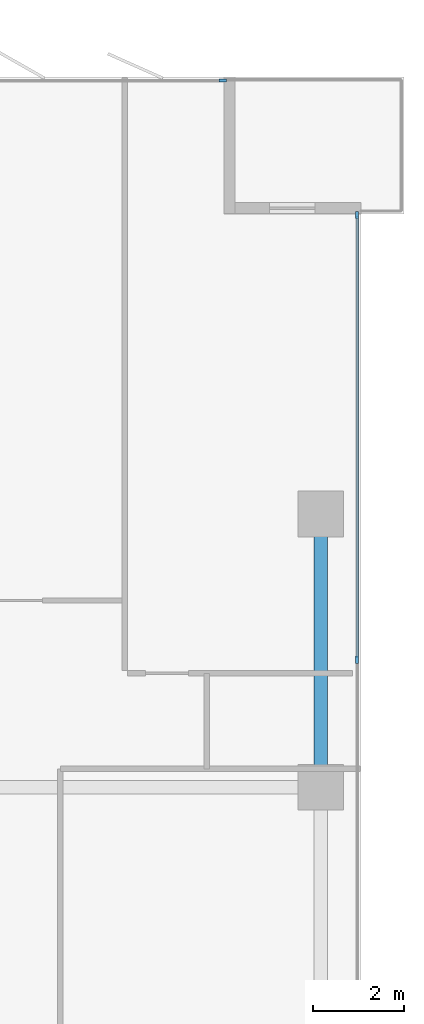
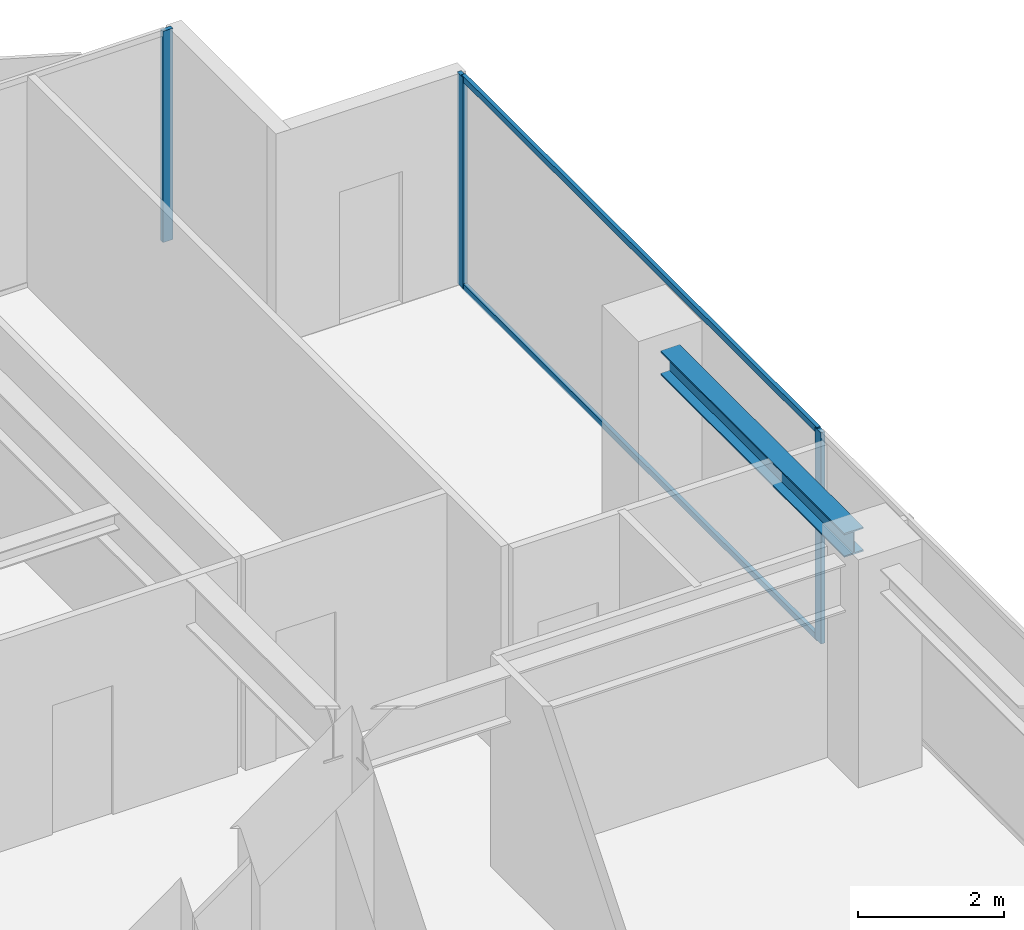
# One storey, part 13 of 22: 5 members, 1 beam, 2 elements without a shape of their own.
"""IFC4 building model written with IfcOpenShell, lengths in metres."""

from ifc_helpers import new_model, si_unit, direction, frame, origin, origin_2d, place, context, subcontext, project, spatial, rectangle, i_section, extrude, material, layer, layer_set, material_profile, profile_set, type_object, element, aggregate, save


model = new_model("IFC4")

# Units and contexts
model_context = context("Model", 3, precision=1e-05, world=origin(), true_north=direction((0.0, 1.0)))
body_context = subcontext(model_context, "Body", "Model", "MODEL_VIEW")
ifc_project = project(units=[si_unit("LENGTHUNIT", "METRE"), si_unit("AREAUNIT", "SQUARE_METRE"), si_unit("VOLUMEUNIT", "CUBIC_METRE"), si_unit("PLANEANGLEUNIT", "RADIAN"), si_unit("MASSUNIT", "GRAM", prefix="KILO")], contexts=[model_context])

# Site, building, storey
site_placement = place(None, origin())
site = spatial("IfcSite", under=ifc_project, at=site_placement, CompositionType="ELEMENT")
building_placement = place(site_placement, origin())
building = spatial("IfcBuilding", under=site, at=building_placement, Name="Putna Gate Headquarters", CompositionType="ELEMENT")
storey_placement = place(building_placement, frame((0.0, 0.0, 193.60009765625)))
storey = spatial("IfcBuildingStorey", under=building, at=storey_placement, Name="L48", CompositionType="ELEMENT", Elevation=193.60009765625)

# Beam
ifc_material_1 = material(Name="Steel S355J2", Category="steel")
ifc_material_profile_1 = material_profile(ifc_material_1, i_section(OverallWidth=0.300048828125, OverallDepth=0.39990234375, WebThickness=0.013427734375, FlangeThickness=0.02392578125, at=origin_2d()), Name="Steel S355J2")
ifc_profile_set_1 = profile_set([ifc_material_profile_1], Name="Steel S355J2")
beam_type = type_object("IfcBeamType", Name="BM-SPAN-Z3-HEB400", PredefinedType="SPANDREL", material=ifc_profile_set_1)
beam_placement = place(storey_placement, frame((73.320068359375, 33.488037109375, 3.31982421875), z_axis=(0.0, 1.0, 0.0), x_axis=(-1.0, 0.0, 0.0)))
element("IfcBeam", 1, at=beam_placement, inside=storey, type_object=beam_type, Name="L48 E End Spandrel 3", PredefinedType="SPANDREL", context=body_context, shape_type="SweptSolid", body=[
    extrude(i_section(OverallWidth=0.300048828125, OverallDepth=0.39990234375, WebThickness=0.013427734375, FlangeThickness=0.02392578125, at=origin_2d()), origin(), (0.0, 0.0, 1.0), 5.02392578125),
])

# Curtain wall, member
ifc_material_2 = material(Name="Anodised bronze aluminium curtain wall", Category="aluminium")
ifc_layer = layer(ifc_material_2, 0.159912109375)
ifc_layer_set = layer_set([ifc_layer], Name="Anodised bronze aluminium curtain wall")
curtain_wall_type = type_object("IfcCurtainWallType", Name="CW-SYS-Z3", PredefinedType="USERDEFINED", material=ifc_layer_set)
curtain_wall_1_placement = place(storey_placement, origin())
curtain_wall_1 = element("IfcCurtainWall", 2, at=curtain_wall_1_placement, inside=storey, type_object=curtain_wall_type, Name="L48 North East Curtain Wall", ObjectType="STICK CURTAIN WALL", PredefinedType="USERDEFINED")
ifc_material_3 = material(Name="Anodised bronze aluminium EN AW-6060", Category="aluminium")
ifc_material_profile_2 = material_profile(ifc_material_3, rectangle(XDim=0.06494140625, YDim=0.159912109375, at=origin_2d()), Name="Anodised bronze aluminium EN AW-6060")
ifc_profile_set_2 = profile_set([ifc_material_profile_2], Name="Anodised bronze aluminium EN AW-6060")
member_type_1 = type_object("IfcMemberType", Name="MULL-CWM-3", PredefinedType="MULLION", material=ifc_profile_set_2)
member_1_placement = place(storey_placement, frame((71.16748046875, 48.52001953125, 0.0), z_axis=(0.0, 0.0, 1.0), x_axis=(0.0, 1.0, 0.0)))
member_1 = element("IfcMember", 3, at=member_1_placement, type_object=member_type_1, Name="CWS-3 mullion 3", PredefinedType="MULLION", context=body_context, shape_type="SweptSolid", body=[
    extrude(rectangle(XDim=0.06494140625, YDim=0.159912109375, at=origin_2d()), origin(), (0.0, 0.0, 1.0), 3.52001953125),
])
aggregate(curtain_wall_1, [member_1])

# Curtain wall, members
curtain_wall_2_placement = place(storey_placement, origin())
curtain_wall_2 = element("IfcCurtainWall", 4, at=curtain_wall_2_placement, inside=storey, type_object=curtain_wall_type, Name="L48 East Curtain Wall", ObjectType="STICK CURTAIN WALL", PredefinedType="USERDEFINED")
member_2_placement = place(storey_placement, frame((74.1201171875, 35.800048828125, 0.0), z_axis=(0.0, 0.0, 1.0), x_axis=(-1.0, 0.0, 0.0)))
member_2 = element("IfcMember", 5, at=member_2_placement, type_object=member_type_1, Name="CWS-3 mullion 4", PredefinedType="MULLION", context=body_context, shape_type="SweptSolid", body=[
    extrude(rectangle(XDim=0.06494140625, YDim=0.159912109375, at=origin_2d()), origin(), (0.0, 0.0, 1.0), 3.52001953125),
])
member_3_placement = place(storey_placement, frame((74.1201171875, 45.5673828125, 0.0), z_axis=(0.0, 0.0, 1.0), x_axis=(-1.0, 0.0, 0.0)))
member_3 = element("IfcMember", 6, at=member_3_placement, type_object=member_type_1, Name="CWS-3 mullion 5", PredefinedType="MULLION", context=body_context, shape_type="SweptSolid", body=[
    extrude(rectangle(XDim=0.06494140625, YDim=0.159912109375, at=origin_2d()), origin(), (0.0, 0.0, 1.0), 3.52001953125),
])
ifc_material_profile_3 = material_profile(ifc_material_3, rectangle(XDim=0.06005859375, YDim=0.10009765625, at=origin_2d()), Name="Anodised bronze aluminium EN AW-6060")
ifc_profile_set_3 = profile_set([ifc_material_profile_3], Name="Anodised bronze aluminium EN AW-6060")
member_type_2 = type_object("IfcMemberType", Name="TRAN-CWT-3", PredefinedType="USERDEFINED", material=ifc_profile_set_3)
member_4_placement = place(storey_placement, frame((74.1201171875, 35.83251953125, 0.02978515625), z_axis=(0.0, 1.0, 0.0), x_axis=(-1.0, 0.0, 0.0)))
member_4 = element("IfcMember", 7, at=member_4_placement, type_object=member_type_2, Name="CWS-3 transom 4.1", ObjectType="TRANSOM", PredefinedType="USERDEFINED", context=body_context, shape_type="SweptSolid", body=[
    extrude(rectangle(XDim=0.06005859375, YDim=0.10009765625, at=origin_2d()), origin(), (0.0, 0.0, 1.0), 9.702392578125),
])
member_5_placement = place(storey_placement, frame((74.1201171875, 35.83251953125, 3.489990234375), z_axis=(0.0, 1.0, 0.0), x_axis=(-1.0, 0.0, 0.0)))
member_5 = element("IfcMember", 8, at=member_5_placement, type_object=member_type_2, Name="CWS-3 transom 4.2", ObjectType="TRANSOM", PredefinedType="USERDEFINED", context=body_context, shape_type="SweptSolid", body=[
    extrude(rectangle(XDim=0.06005859375, YDim=0.10009765625, at=origin_2d()), origin(), (0.0, 0.0, 1.0), 9.702392578125),
])
aggregate(curtain_wall_2, [member_2, member_3, member_4, member_5])

save(model, "model.ifc")
